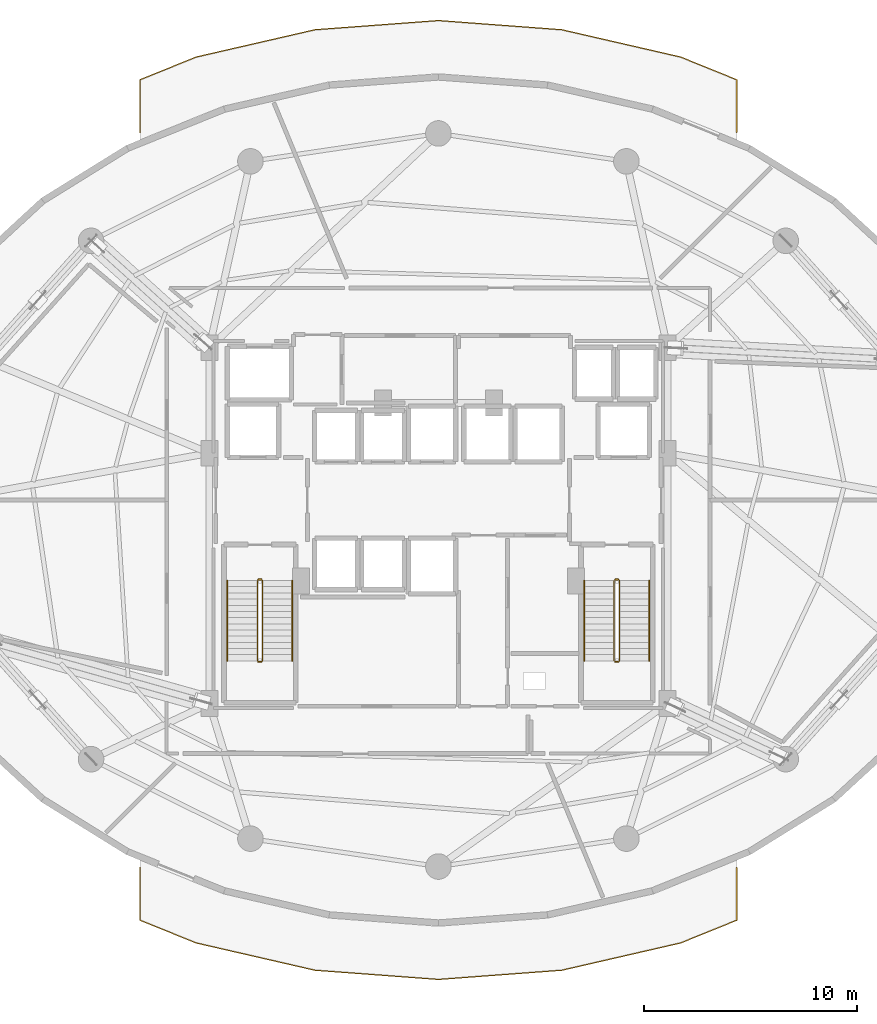
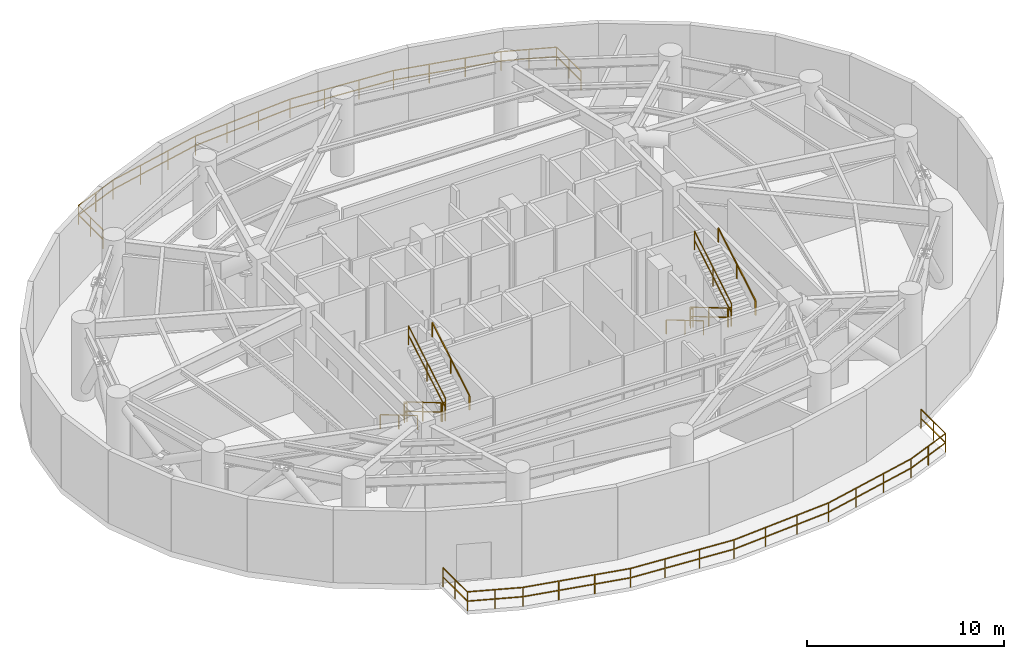
# One storey, part 10 of 10: 16 railings.
"""IFC4 building model written with IfcOpenShell, lengths in metres."""

from ifc_helpers import new_model, si_unit, direction, frame, origin, origin_2d, place, context, subcontext, project, spatial, rectangle, extrude, material, type_object, element, save


model = new_model("IFC4")

# Units and contexts
model_context = context("Model", 3, precision=1e-05, world=origin(), true_north=direction((0.0, 1.0)))
body_context = subcontext(model_context, "Body", "Model", "MODEL_VIEW")
ifc_project = project(units=[si_unit("LENGTHUNIT", "METRE"), si_unit("AREAUNIT", "SQUARE_METRE"), si_unit("VOLUMEUNIT", "CUBIC_METRE"), si_unit("PLANEANGLEUNIT", "RADIAN"), si_unit("MASSUNIT", "GRAM", prefix="KILO")], contexts=[model_context])

# Site, building, storey
site_placement = place(None, origin())
site = spatial("IfcSite", under=ifc_project, at=site_placement, CompositionType="ELEMENT")
building_placement = place(site_placement, origin())
building = spatial("IfcBuilding", under=site, at=building_placement, Name="Vorneva Point Tower", CompositionType="ELEMENT")
storey_placement = place(building_placement, frame((0.0, 0.0, 69.5)))
storey = spatial("IfcBuildingStorey", under=building, at=storey_placement, Name="L18", CompositionType="ELEMENT", Elevation=69.5)

# Railings
ifc_material_1 = material(Name="Pale anodised aluminium", Category="aluminium")
railing_type_1 = type_object("IfcRailingType", Name="RL-BAL-1200", PredefinedType="BALUSTRADE", material=ifc_material_1)
railing_1_placement = place(storey_placement, frame((52.0, 6.279296875, 0.0)))
element("IfcRailing", 1, at=railing_1_placement, inside=storey, type_object=railing_type_1, Name="L18 Sky-Garden South Guardrail 1", PredefinedType="BALUSTRADE", context=body_context, shape_type="SweptSolid", body=[
    extrude(rectangle(XDim=0.048095703125, YDim=0.048095703125, at=origin_2d()), frame((0.0, 0.0, 1.17578125), z_axis=(0.0, 1.0, 0.0), x_axis=(-1.0, 0.0, 0.0)), (0.0, 0.0, 1.0), 2.475830078125),
    extrude(rectangle(XDim=0.048095703125, YDim=0.048095703125, at=origin_2d()), frame((0.0, 0.0, 0.60009765625), z_axis=(0.0, 1.0, 0.0), x_axis=(-1.0, 0.0, 0.0)), (0.0, 0.0, 1.0), 2.475830078125),
    extrude(rectangle(XDim=0.0419921875, YDim=0.0419921875, at=origin_2d()), origin(), (0.0, 0.0, 1.0), 1.15185546875),
    extrude(rectangle(XDim=0.0419921875, YDim=0.0419921875, at=origin_2d()), frame((0.0, 1.23779296875, 0.0)), (0.0, 0.0, 1.0), 1.15185546875),
    extrude(rectangle(XDim=0.0419921875, YDim=0.0419921875, at=origin_2d()), frame((0.0, 2.475830078125, 0.0)), (0.0, 0.0, 1.0), 1.15185546875),
])
railing_2_placement = place(storey_placement, frame((24.0, 8.755126953125, 0.0)))
element("IfcRailing", 2, at=railing_2_placement, inside=storey, type_object=railing_type_1, Name="L18 Sky-Garden South Guardrail 2", PredefinedType="BALUSTRADE", context=body_context, shape_type="SweptSolid", body=[
    extrude(rectangle(XDim=0.048095703125, YDim=0.048095703125, at=origin_2d()), frame((0.0, 0.0, 1.17578125), z_axis=(0.0, -1.0, 0.0), x_axis=(1.0, 0.0, 0.0)), (0.0, 0.0, 1.0), 2.475830078125),
    extrude(rectangle(XDim=0.048095703125, YDim=0.048095703125, at=origin_2d()), frame((0.0, 0.0, 0.60009765625), z_axis=(0.0, -1.0, 0.0), x_axis=(1.0, 0.0, 0.0)), (0.0, 0.0, 1.0), 2.475830078125),
    extrude(rectangle(XDim=0.048095703125, YDim=0.048095703125, at=origin_2d()), frame((0.0, -2.475830078125, 1.17578125), z_axis=(0.92689843513, -0.375312257932, 0.0), x_axis=(0.375312257932, 0.92689843513, 0.0)), (0.0, 0.0, 1.0), 2.842041015625),
    extrude(rectangle(XDim=0.048095703125, YDim=0.048095703125, at=origin_2d()), frame((0.0, -2.475830078125, 0.60009765625), z_axis=(0.92689843513, -0.375312257932, 0.0), x_axis=(0.375312257932, 0.92689843513, 0.0)), (0.0, 0.0, 1.0), 2.842041015625),
    extrude(rectangle(XDim=0.048095703125, YDim=0.048095703125, at=origin_2d()), frame((2.63427734375, -3.54248046875, 1.17578125), z_axis=(0.97460022573, -0.223951780541, 0.0), x_axis=(0.223951780541, 0.97460022573, 0.0)), (0.0, 0.0, 1.0), 5.716796875),
    extrude(rectangle(XDim=0.048095703125, YDim=0.048095703125, at=origin_2d()), frame((2.63427734375, -3.54248046875, 0.60009765625), z_axis=(0.97460022573, -0.223951780541, 0.0), x_axis=(0.223951780541, 0.97460022573, 0.0)), (0.0, 0.0, 1.0), 5.716796875),
    extrude(rectangle(XDim=0.048095703125, YDim=0.048095703125, at=origin_2d()), frame((8.205810546875, -4.82275390625, 1.17578125), z_axis=(0.997227364938, -0.074414935461, 0.0), x_axis=(0.074414935461, 0.997227364938, 0.0)), (0.0, 0.0, 1.0), 5.810302734375),
    extrude(rectangle(XDim=0.048095703125, YDim=0.048095703125, at=origin_2d()), frame((8.205810546875, -4.82275390625, 0.60009765625), z_axis=(0.997227364938, -0.074414935461, 0.0), x_axis=(0.074414935461, 0.997227364938, 0.0)), (0.0, 0.0, 1.0), 5.810302734375),
    extrude(rectangle(XDim=0.048095703125, YDim=0.048095703125, at=origin_2d()), frame((14.0, -5.255126953125, 1.17578125), z_axis=(0.997227364938, 0.074414935461, 0.0), x_axis=(-0.074414935461, 0.997227364938, 0.0)), (0.0, 0.0, 1.0), 5.810302734375),
    extrude(rectangle(XDim=0.048095703125, YDim=0.048095703125, at=origin_2d()), frame((14.0, -5.255126953125, 0.60009765625), z_axis=(0.997227364938, 0.074414935461, 0.0), x_axis=(-0.074414935461, 0.997227364938, 0.0)), (0.0, 0.0, 1.0), 5.810302734375),
    extrude(rectangle(XDim=0.048095703125, YDim=0.048095703125, at=origin_2d()), frame((19.794189453125, -4.82275390625, 1.17578125), z_axis=(0.97460022573, 0.223951780541, 0.0), x_axis=(-0.223951780541, 0.97460022573, 0.0)), (0.0, 0.0, 1.0), 5.716796875),
    extrude(rectangle(XDim=0.048095703125, YDim=0.048095703125, at=origin_2d()), frame((19.794189453125, -4.82275390625, 0.60009765625), z_axis=(0.97460022573, 0.223951780541, 0.0), x_axis=(-0.223951780541, 0.97460022573, 0.0)), (0.0, 0.0, 1.0), 5.716796875),
    extrude(rectangle(XDim=0.048095703125, YDim=0.048095703125, at=origin_2d()), frame((25.36572265625, -3.54248046875, 1.17578125), z_axis=(0.92689843513, 0.375312257932, 0.0), x_axis=(-0.375312257932, 0.92689843513, 0.0)), (0.0, 0.0, 1.0), 2.842041015625),
    extrude(rectangle(XDim=0.048095703125, YDim=0.048095703125, at=origin_2d()), frame((25.36572265625, -3.54248046875, 0.60009765625), z_axis=(0.92689843513, 0.375312257932, 0.0), x_axis=(-0.375312257932, 0.92689843513, 0.0)), (0.0, 0.0, 1.0), 2.842041015625),
    extrude(rectangle(XDim=0.0419921875, YDim=0.0419921875, at=origin_2d()), origin(), (0.0, 0.0, 1.0), 1.15185546875),
    extrude(rectangle(XDim=0.0419921875, YDim=0.0419921875, at=origin_2d()), frame((0.0, -1.23779296875, 0.0)), (0.0, 0.0, 1.0), 1.15185546875),
    extrude(rectangle(XDim=0.0419921875, YDim=0.0419921875, at=origin_2d()), frame((0.0, -2.475830078125, 0.0)), (0.0, 0.0, 1.0), 1.15185546875),
    extrude(rectangle(XDim=0.0419921875, YDim=0.0419921875, at=origin_2d()), frame((1.317138671875, -3.00927734375, 0.0)), (0.0, 0.0, 1.0), 1.15185546875),
    extrude(rectangle(XDim=0.0419921875, YDim=0.0419921875, at=origin_2d()), frame((2.63427734375, -3.54248046875, 0.0)), (0.0, 0.0, 1.0), 1.15185546875),
    extrude(rectangle(XDim=0.0419921875, YDim=0.0419921875, at=origin_2d()), frame((4.491455078125, -3.96923828125, 0.0)), (0.0, 0.0, 1.0), 1.15185546875),
    extrude(rectangle(XDim=0.0419921875, YDim=0.0419921875, at=origin_2d()), frame((6.3486328125, -4.39599609375, 0.0)), (0.0, 0.0, 1.0), 1.15185546875),
    extrude(rectangle(XDim=0.0419921875, YDim=0.0419921875, at=origin_2d()), frame((8.205810546875, -4.82275390625, 0.0)), (0.0, 0.0, 1.0), 1.15185546875),
    extrude(rectangle(XDim=0.0419921875, YDim=0.0419921875, at=origin_2d()), frame((10.13720703125, -4.966796875, 0.0)), (0.0, 0.0, 1.0), 1.15185546875),
    extrude(rectangle(XDim=0.0419921875, YDim=0.0419921875, at=origin_2d()), frame((12.068603515625, -5.111083984375, 0.0)), (0.0, 0.0, 1.0), 1.15185546875),
    extrude(rectangle(XDim=0.0419921875, YDim=0.0419921875, at=origin_2d()), frame((14.0, -5.255126953125, 0.0)), (0.0, 0.0, 1.0), 1.15185546875),
    extrude(rectangle(XDim=0.0419921875, YDim=0.0419921875, at=origin_2d()), frame((15.931396484375, -5.111083984375, 0.0)), (0.0, 0.0, 1.0), 1.15185546875),
    extrude(rectangle(XDim=0.0419921875, YDim=0.0419921875, at=origin_2d()), frame((17.86279296875, -4.966796875, 0.0)), (0.0, 0.0, 1.0), 1.15185546875),
    extrude(rectangle(XDim=0.0419921875, YDim=0.0419921875, at=origin_2d()), frame((19.794189453125, -4.82275390625, 0.0)), (0.0, 0.0, 1.0), 1.15185546875),
    extrude(rectangle(XDim=0.0419921875, YDim=0.0419921875, at=origin_2d()), frame((21.6513671875, -4.39599609375, 0.0)), (0.0, 0.0, 1.0), 1.15185546875),
    extrude(rectangle(XDim=0.0419921875, YDim=0.0419921875, at=origin_2d()), frame((23.508544921875, -3.96923828125, 0.0)), (0.0, 0.0, 1.0), 1.15185546875),
    extrude(rectangle(XDim=0.0419921875, YDim=0.0419921875, at=origin_2d()), frame((25.36572265625, -3.54248046875, 0.0)), (0.0, 0.0, 1.0), 1.15185546875),
    extrude(rectangle(XDim=0.0419921875, YDim=0.0419921875, at=origin_2d()), frame((26.682861328125, -3.00927734375, 0.0)), (0.0, 0.0, 1.0), 1.15185546875),
    extrude(rectangle(XDim=0.0419921875, YDim=0.0419921875, at=origin_2d()), frame((28.0, -2.475830078125, 0.0)), (0.0, 0.0, 1.0), 1.15185546875),
])
railing_3_placement = place(storey_placement, frame((24.0, 45.720703125, 0.0)))
element("IfcRailing", 3, at=railing_3_placement, inside=storey, type_object=railing_type_1, Name="L18 Sky-Garden North Guardrail 1", PredefinedType="BALUSTRADE", context=body_context, shape_type="SweptSolid", body=[
    extrude(rectangle(XDim=0.048095703125, YDim=0.048095703125, at=origin_2d()), frame((0.0, 0.0, 1.17578125), z_axis=(0.0, -1.0, 0.0), x_axis=(1.0, 0.0, 0.0)), (0.0, 0.0, 1.0), 2.475830078125),
    extrude(rectangle(XDim=0.048095703125, YDim=0.048095703125, at=origin_2d()), frame((0.0, 0.0, 0.60009765625), z_axis=(0.0, -1.0, 0.0), x_axis=(1.0, 0.0, 0.0)), (0.0, 0.0, 1.0), 2.475830078125),
    extrude(rectangle(XDim=0.0419921875, YDim=0.0419921875, at=origin_2d()), origin(), (0.0, 0.0, 1.0), 1.15185546875),
    extrude(rectangle(XDim=0.0419921875, YDim=0.0419921875, at=origin_2d()), frame((0.0, -1.23779296875, 0.0)), (0.0, 0.0, 1.0), 1.15185546875),
    extrude(rectangle(XDim=0.0419921875, YDim=0.0419921875, at=origin_2d()), frame((0.0, -2.475830078125, 0.0)), (0.0, 0.0, 1.0), 1.15185546875),
])
railing_4_placement = place(storey_placement, frame((52.0, 43.244873046875, 0.0)))
element("IfcRailing", 4, at=railing_4_placement, inside=storey, type_object=railing_type_1, Name="L18 Sky-Garden North Guardrail 2", PredefinedType="BALUSTRADE", context=body_context, shape_type="SweptSolid", body=[
    extrude(rectangle(XDim=0.048095703125, YDim=0.048095703125, at=origin_2d()), frame((0.0, 0.0, 1.17578125), z_axis=(0.0, 1.0, 0.0), x_axis=(-1.0, 0.0, 0.0)), (0.0, 0.0, 1.0), 2.475830078125),
    extrude(rectangle(XDim=0.048095703125, YDim=0.048095703125, at=origin_2d()), frame((0.0, 0.0, 0.60009765625), z_axis=(0.0, 1.0, 0.0), x_axis=(-1.0, 0.0, 0.0)), (0.0, 0.0, 1.0), 2.475830078125),
    extrude(rectangle(XDim=0.048095703125, YDim=0.048095703125, at=origin_2d()), frame((0.0, 2.475830078125, 1.17578125), z_axis=(-0.92689843513, 0.375312257932, 0.0), x_axis=(-0.375312257932, -0.92689843513, 0.0)), (0.0, 0.0, 1.0), 2.842041015625),
    extrude(rectangle(XDim=0.048095703125, YDim=0.048095703125, at=origin_2d()), frame((0.0, 2.475830078125, 0.60009765625), z_axis=(-0.92689843513, 0.375312257932, 0.0), x_axis=(-0.375312257932, -0.92689843513, 0.0)), (0.0, 0.0, 1.0), 2.842041015625),
    extrude(rectangle(XDim=0.048095703125, YDim=0.048095703125, at=origin_2d()), frame((-2.63427734375, 3.54248046875, 1.17578125), z_axis=(-0.97460022573, 0.223951780541, 0.0), x_axis=(-0.223951780541, -0.97460022573, 0.0)), (0.0, 0.0, 1.0), 5.716796875),
    extrude(rectangle(XDim=0.048095703125, YDim=0.048095703125, at=origin_2d()), frame((-2.63427734375, 3.54248046875, 0.60009765625), z_axis=(-0.97460022573, 0.223951780541, 0.0), x_axis=(-0.223951780541, -0.97460022573, 0.0)), (0.0, 0.0, 1.0), 5.716796875),
    extrude(rectangle(XDim=0.048095703125, YDim=0.048095703125, at=origin_2d()), frame((-8.205810546875, 4.82275390625, 1.17578125), z_axis=(-0.997227364938, 0.074414935461, 0.0), x_axis=(-0.074414935461, -0.997227364938, 0.0)), (0.0, 0.0, 1.0), 5.810302734375),
    extrude(rectangle(XDim=0.048095703125, YDim=0.048095703125, at=origin_2d()), frame((-8.205810546875, 4.82275390625, 0.60009765625), z_axis=(-0.997227364938, 0.074414935461, 0.0), x_axis=(-0.074414935461, -0.997227364938, 0.0)), (0.0, 0.0, 1.0), 5.810302734375),
    extrude(rectangle(XDim=0.048095703125, YDim=0.048095703125, at=origin_2d()), frame((-14.0, 5.255126953125, 1.17578125), z_axis=(-0.997227364938, -0.074414935461, 0.0), x_axis=(0.074414935461, -0.997227364938, 0.0)), (0.0, 0.0, 1.0), 5.810302734375),
    extrude(rectangle(XDim=0.048095703125, YDim=0.048095703125, at=origin_2d()), frame((-14.0, 5.255126953125, 0.60009765625), z_axis=(-0.997227364938, -0.074414935461, 0.0), x_axis=(0.074414935461, -0.997227364938, 0.0)), (0.0, 0.0, 1.0), 5.810302734375),
    extrude(rectangle(XDim=0.048095703125, YDim=0.048095703125, at=origin_2d()), frame((-19.794189453125, 4.82275390625, 1.17578125), z_axis=(-0.97460022573, -0.223951780541, 0.0), x_axis=(0.223951780541, -0.97460022573, 0.0)), (0.0, 0.0, 1.0), 5.716796875),
    extrude(rectangle(XDim=0.048095703125, YDim=0.048095703125, at=origin_2d()), frame((-19.794189453125, 4.82275390625, 0.60009765625), z_axis=(-0.97460022573, -0.223951780541, 0.0), x_axis=(0.223951780541, -0.97460022573, 0.0)), (0.0, 0.0, 1.0), 5.716796875),
    extrude(rectangle(XDim=0.048095703125, YDim=0.048095703125, at=origin_2d()), frame((-25.36572265625, 3.54248046875, 1.17578125), z_axis=(-0.92689843513, -0.375312257932, 0.0), x_axis=(0.375312257932, -0.92689843513, 0.0)), (0.0, 0.0, 1.0), 2.842041015625),
    extrude(rectangle(XDim=0.048095703125, YDim=0.048095703125, at=origin_2d()), frame((-25.36572265625, 3.54248046875, 0.60009765625), z_axis=(-0.92689843513, -0.375312257932, 0.0), x_axis=(0.375312257932, -0.92689843513, 0.0)), (0.0, 0.0, 1.0), 2.842041015625),
    extrude(rectangle(XDim=0.0419921875, YDim=0.0419921875, at=origin_2d()), origin(), (0.0, 0.0, 1.0), 1.15185546875),
    extrude(rectangle(XDim=0.0419921875, YDim=0.0419921875, at=origin_2d()), frame((0.0, 1.23779296875, 0.0)), (0.0, 0.0, 1.0), 1.15185546875),
    extrude(rectangle(XDim=0.0419921875, YDim=0.0419921875, at=origin_2d()), frame((0.0, 2.475830078125, 0.0)), (0.0, 0.0, 1.0), 1.15185546875),
    extrude(rectangle(XDim=0.0419921875, YDim=0.0419921875, at=origin_2d()), frame((-1.317138671875, 3.00927734375, 0.0)), (0.0, 0.0, 1.0), 1.15185546875),
    extrude(rectangle(XDim=0.0419921875, YDim=0.0419921875, at=origin_2d()), frame((-2.63427734375, 3.54248046875, 0.0)), (0.0, 0.0, 1.0), 1.15185546875),
    extrude(rectangle(XDim=0.0419921875, YDim=0.0419921875, at=origin_2d()), frame((-4.491455078125, 3.96923828125, 0.0)), (0.0, 0.0, 1.0), 1.15185546875),
    extrude(rectangle(XDim=0.0419921875, YDim=0.0419921875, at=origin_2d()), frame((-6.3486328125, 4.39599609375, 0.0)), (0.0, 0.0, 1.0), 1.15185546875),
    extrude(rectangle(XDim=0.0419921875, YDim=0.0419921875, at=origin_2d()), frame((-8.205810546875, 4.82275390625, 0.0)), (0.0, 0.0, 1.0), 1.15185546875),
    extrude(rectangle(XDim=0.0419921875, YDim=0.0419921875, at=origin_2d()), frame((-10.13720703125, 4.966796875, 0.0)), (0.0, 0.0, 1.0), 1.15185546875),
    extrude(rectangle(XDim=0.0419921875, YDim=0.0419921875, at=origin_2d()), frame((-12.068603515625, 5.111083984375, 0.0)), (0.0, 0.0, 1.0), 1.15185546875),
    extrude(rectangle(XDim=0.0419921875, YDim=0.0419921875, at=origin_2d()), frame((-14.0, 5.255126953125, 0.0)), (0.0, 0.0, 1.0), 1.15185546875),
    extrude(rectangle(XDim=0.0419921875, YDim=0.0419921875, at=origin_2d()), frame((-15.931396484375, 5.111083984375, 0.0)), (0.0, 0.0, 1.0), 1.15185546875),
    extrude(rectangle(XDim=0.0419921875, YDim=0.0419921875, at=origin_2d()), frame((-17.86279296875, 4.966796875, 0.0)), (0.0, 0.0, 1.0), 1.15185546875),
    extrude(rectangle(XDim=0.0419921875, YDim=0.0419921875, at=origin_2d()), frame((-19.794189453125, 4.82275390625, 0.0)), (0.0, 0.0, 1.0), 1.15185546875),
    extrude(rectangle(XDim=0.0419921875, YDim=0.0419921875, at=origin_2d()), frame((-21.6513671875, 4.39599609375, 0.0)), (0.0, 0.0, 1.0), 1.15185546875),
    extrude(rectangle(XDim=0.0419921875, YDim=0.0419921875, at=origin_2d()), frame((-23.508544921875, 3.96923828125, 0.0)), (0.0, 0.0, 1.0), 1.15185546875),
    extrude(rectangle(XDim=0.0419921875, YDim=0.0419921875, at=origin_2d()), frame((-25.36572265625, 3.54248046875, 0.0)), (0.0, 0.0, 1.0), 1.15185546875),
    extrude(rectangle(XDim=0.0419921875, YDim=0.0419921875, at=origin_2d()), frame((-26.682861328125, 3.00927734375, 0.0)), (0.0, 0.0, 1.0), 1.15185546875),
    extrude(rectangle(XDim=0.0419921875, YDim=0.0419921875, at=origin_2d()), frame((-28.0, 2.475830078125, 0.0)), (0.0, 0.0, 1.0), 1.15185546875),
])
ifc_material_2 = material(Name="Brushed stainless steel S304", Category="steel")
railing_type_2 = type_object("IfcRailingType", Name="RL-HND-920", PredefinedType="HANDRAIL", material=ifc_material_2)
railing_5_placement = place(storey_placement, frame((28.10009765625, 22.219970703125, 0.17138671875)))
element("IfcRailing", 5, at=railing_5_placement, inside=storey, type_object=railing_type_2, Name="L18 ST1 stair handrail 1", PredefinedType="HANDRAIL", context=body_context, shape_type="SweptSolid", body=[
    extrude(rectangle(XDim=0.048095703125, YDim=0.048095703125, at=origin_2d()), frame((0.0, 0.0, 0.8759765625), z_axis=(0.0, -0.860848830602, 0.508860777473), x_axis=(1.0, 0.0, 0.0)), (0.0, 0.0, 1.0), 4.37939453125),
    extrude(rectangle(XDim=0.0419921875, YDim=0.0419921875, at=origin_2d()), origin(), (0.0, 0.0, 1.0), 0.851806640625),
    extrude(rectangle(XDim=0.0419921875, YDim=0.0419921875, at=origin_2d()), frame((0.0, -1.885009765625, 1.1142578125)), (0.0, 0.0, 1.0), 0.851806640625),
    extrude(rectangle(XDim=0.0419921875, YDim=0.0419921875, at=origin_2d()), frame((0.0, -3.77001953125, 2.228515625)), (0.0, 0.0, 1.0), 0.851806640625),
])
railing_6_placement = place(storey_placement, frame((31.14990234375, 18.449951171875, 2.571533203125)))
element("IfcRailing", 6, at=railing_6_placement, inside=storey, type_object=railing_type_2, Name="L18 ST1 stair handrail 2", PredefinedType="HANDRAIL", context=body_context, shape_type="SweptSolid", body=[
    extrude(rectangle(XDim=0.048095703125, YDim=0.048095703125, at=origin_2d()), frame((0.0, 0.0, 0.8759765625), z_axis=(0.0, 0.860848830602, 0.508860777473), x_axis=(-1.0, 0.0, 0.0)), (0.0, 0.0, 1.0), 4.37939453125),
    extrude(rectangle(XDim=0.0419921875, YDim=0.0419921875, at=origin_2d()), origin(), (0.0, 0.0, 1.0), 0.851806640625),
    extrude(rectangle(XDim=0.0419921875, YDim=0.0419921875, at=origin_2d()), frame((0.0, 1.885009765625, 1.1142578125)), (0.0, 0.0, 1.0), 0.851806640625),
    extrude(rectangle(XDim=0.0419921875, YDim=0.0419921875, at=origin_2d()), frame((0.0, 3.77001953125, 2.228515625)), (0.0, 0.0, 1.0), 0.851806640625),
])
railing_7_placement = place(storey_placement, frame((44.85009765625, 22.219970703125, 0.17138671875)))
element("IfcRailing", 7, at=railing_7_placement, inside=storey, type_object=railing_type_2, Name="L18 ST2 stair handrail 1", PredefinedType="HANDRAIL", context=body_context, shape_type="SweptSolid", body=[
    extrude(rectangle(XDim=0.048095703125, YDim=0.048095703125, at=origin_2d()), frame((0.0, 0.0, 0.8759765625), z_axis=(0.0, -0.860848830602, 0.508860777473), x_axis=(1.0, 0.0, 0.0)), (0.0, 0.0, 1.0), 4.37939453125),
    extrude(rectangle(XDim=0.0419921875, YDim=0.0419921875, at=origin_2d()), origin(), (0.0, 0.0, 1.0), 0.851806640625),
    extrude(rectangle(XDim=0.0419921875, YDim=0.0419921875, at=origin_2d()), frame((0.0, -1.885009765625, 1.1142578125)), (0.0, 0.0, 1.0), 0.851806640625),
    extrude(rectangle(XDim=0.0419921875, YDim=0.0419921875, at=origin_2d()), frame((0.0, -3.77001953125, 2.228515625)), (0.0, 0.0, 1.0), 0.851806640625),
])
railing_8_placement = place(storey_placement, frame((47.89990234375, 18.449951171875, 2.571533203125)))
element("IfcRailing", 8, at=railing_8_placement, inside=storey, type_object=railing_type_2, Name="L18 ST2 stair handrail 2", PredefinedType="HANDRAIL", context=body_context, shape_type="SweptSolid", body=[
    extrude(rectangle(XDim=0.048095703125, YDim=0.048095703125, at=origin_2d()), frame((0.0, 0.0, 0.8759765625), z_axis=(0.0, 0.860848830602, 0.508860777473), x_axis=(-1.0, 0.0, 0.0)), (0.0, 0.0, 1.0), 4.37939453125),
    extrude(rectangle(XDim=0.0419921875, YDim=0.0419921875, at=origin_2d()), origin(), (0.0, 0.0, 1.0), 0.851806640625),
    extrude(rectangle(XDim=0.0419921875, YDim=0.0419921875, at=origin_2d()), frame((0.0, 1.885009765625, 1.1142578125)), (0.0, 0.0, 1.0), 0.851806640625),
    extrude(rectangle(XDim=0.0419921875, YDim=0.0419921875, at=origin_2d()), frame((0.0, 3.77001953125, 2.228515625)), (0.0, 0.0, 1.0), 0.851806640625),
])
railing_type_3 = type_object("IfcRailingType", Name="RL-STG-1100", PredefinedType="GUARDRAIL", material=ifc_material_2)
railing_9_placement = place(storey_placement, frame((29.5, 22.219970703125, 0.17138671875)))
element("IfcRailing", 9, at=railing_9_placement, inside=storey, type_object=railing_type_3, Name="L18 ST1 stair guard 1", PredefinedType="GUARDRAIL", context=body_context, shape_type="SweptSolid", body=[
    extrude(rectangle(XDim=0.048095703125, YDim=0.048095703125, at=origin_2d()), frame((0.0, 0.0, 1.17578125), z_axis=(0.0, -0.860848830602, 0.508860777473), x_axis=(1.0, 0.0, 0.0)), (0.0, 0.0, 1.0), 4.37939453125),
    extrude(rectangle(XDim=0.048095703125, YDim=0.048095703125, at=origin_2d()), frame((0.0, 0.0, 0.60009765625), z_axis=(0.0, -0.860848830602, 0.508860777473), x_axis=(1.0, 0.0, 0.0)), (0.0, 0.0, 1.0), 4.37939453125),
    extrude(rectangle(XDim=0.0419921875, YDim=0.0419921875, at=origin_2d()), origin(), (0.0, 0.0, 1.0), 1.15185546875),
    extrude(rectangle(XDim=0.0419921875, YDim=0.0419921875, at=origin_2d()), frame((0.0, -1.885009765625, 1.1142578125)), (0.0, 0.0, 1.0), 1.15185546875),
    extrude(rectangle(XDim=0.0419921875, YDim=0.0419921875, at=origin_2d()), frame((0.0, -3.77001953125, 2.228515625)), (0.0, 0.0, 1.0), 1.15185546875),
])
railing_10_placement = place(storey_placement, frame((29.550048828125, 18.39990234375, 2.39990234375)))
element("IfcRailing", 10, at=railing_10_placement, inside=storey, type_object=railing_type_3, Name="L18 ST1 stair guard 2", PredefinedType="GUARDRAIL", context=body_context, shape_type="SweptSolid", body=[
    extrude(rectangle(XDim=0.048095703125, YDim=0.048095703125, at=origin_2d()), frame((0.0, 0.0, 1.17578125), z_axis=(1.0, 0.0, 0.0), x_axis=(0.0, 1.0, 0.0)), (0.0, 0.0, 1.0), 0.14990234375),
    extrude(rectangle(XDim=0.048095703125, YDim=0.048095703125, at=origin_2d()), frame((0.0, 0.0, 0.60009765625), z_axis=(1.0, 0.0, 0.0), x_axis=(0.0, 1.0, 0.0)), (0.0, 0.0, 1.0), 0.14990234375),
    extrude(rectangle(XDim=0.0419921875, YDim=0.0419921875, at=origin_2d()), origin(), (0.0, 0.0, 1.0), 1.15185546875),
    extrude(rectangle(XDim=0.0419921875, YDim=0.0419921875, at=origin_2d()), frame((0.14990234375, 0.0, 0.0)), (0.0, 0.0, 1.0), 1.15185546875),
])
railing_11_placement = place(storey_placement, frame((29.75, 18.449951171875, 2.571533203125)))
element("IfcRailing", 11, at=railing_11_placement, inside=storey, type_object=railing_type_3, Name="L18 ST1 stair guard 3", PredefinedType="GUARDRAIL", context=body_context, shape_type="SweptSolid", body=[
    extrude(rectangle(XDim=0.048095703125, YDim=0.048095703125, at=origin_2d()), frame((0.0, 0.0, 1.17578125), z_axis=(0.0, 0.860848830602, 0.508860777473), x_axis=(-1.0, 0.0, 0.0)), (0.0, 0.0, 1.0), 4.37939453125),
    extrude(rectangle(XDim=0.048095703125, YDim=0.048095703125, at=origin_2d()), frame((0.0, 0.0, 0.60009765625), z_axis=(0.0, 0.860848830602, 0.508860777473), x_axis=(-1.0, 0.0, 0.0)), (0.0, 0.0, 1.0), 4.37939453125),
    extrude(rectangle(XDim=0.0419921875, YDim=0.0419921875, at=origin_2d()), origin(), (0.0, 0.0, 1.0), 1.15185546875),
    extrude(rectangle(XDim=0.0419921875, YDim=0.0419921875, at=origin_2d()), frame((0.0, 1.885009765625, 1.1142578125)), (0.0, 0.0, 1.0), 1.15185546875),
    extrude(rectangle(XDim=0.0419921875, YDim=0.0419921875, at=origin_2d()), frame((0.0, 3.77001953125, 2.228515625)), (0.0, 0.0, 1.0), 1.15185546875),
])
railing_12_placement = place(storey_placement, frame((29.550048828125, 22.27001953125, 0.0)))
element("IfcRailing", 12, at=railing_12_placement, inside=storey, type_object=railing_type_3, Name="L18 ST1 stair guard 4", PredefinedType="GUARDRAIL", context=body_context, shape_type="SweptSolid", body=[
    extrude(rectangle(XDim=0.048095703125, YDim=0.048095703125, at=origin_2d()), frame((0.0, 0.0, 1.17578125), z_axis=(1.0, 0.0, 0.0), x_axis=(0.0, 1.0, 0.0)), (0.0, 0.0, 1.0), 0.14990234375),
    extrude(rectangle(XDim=0.048095703125, YDim=0.048095703125, at=origin_2d()), frame((0.0, 0.0, 0.60009765625), z_axis=(1.0, 0.0, 0.0), x_axis=(0.0, 1.0, 0.0)), (0.0, 0.0, 1.0), 0.14990234375),
    extrude(rectangle(XDim=0.0419921875, YDim=0.0419921875, at=origin_2d()), origin(), (0.0, 0.0, 1.0), 1.15185546875),
    extrude(rectangle(XDim=0.0419921875, YDim=0.0419921875, at=origin_2d()), frame((0.14990234375, 0.0, 0.0)), (0.0, 0.0, 1.0), 1.15185546875),
])
railing_13_placement = place(storey_placement, frame((46.25, 22.219970703125, 0.17138671875)))
element("IfcRailing", 13, at=railing_13_placement, inside=storey, type_object=railing_type_3, Name="L18 ST2 stair guard 1", PredefinedType="GUARDRAIL", context=body_context, shape_type="SweptSolid", body=[
    extrude(rectangle(XDim=0.048095703125, YDim=0.048095703125, at=origin_2d()), frame((0.0, 0.0, 1.17578125), z_axis=(0.0, -0.860848830602, 0.508860777473), x_axis=(1.0, 0.0, 0.0)), (0.0, 0.0, 1.0), 4.37939453125),
    extrude(rectangle(XDim=0.048095703125, YDim=0.048095703125, at=origin_2d()), frame((0.0, 0.0, 0.60009765625), z_axis=(0.0, -0.860848830602, 0.508860777473), x_axis=(1.0, 0.0, 0.0)), (0.0, 0.0, 1.0), 4.37939453125),
    extrude(rectangle(XDim=0.0419921875, YDim=0.0419921875, at=origin_2d()), origin(), (0.0, 0.0, 1.0), 1.15185546875),
    extrude(rectangle(XDim=0.0419921875, YDim=0.0419921875, at=origin_2d()), frame((0.0, -1.885009765625, 1.1142578125)), (0.0, 0.0, 1.0), 1.15185546875),
    extrude(rectangle(XDim=0.0419921875, YDim=0.0419921875, at=origin_2d()), frame((0.0, -3.77001953125, 2.228515625)), (0.0, 0.0, 1.0), 1.15185546875),
])
railing_14_placement = place(storey_placement, frame((46.300048828125, 18.39990234375, 2.39990234375)))
element("IfcRailing", 14, at=railing_14_placement, inside=storey, type_object=railing_type_3, Name="L18 ST2 stair guard 2", PredefinedType="GUARDRAIL", context=body_context, shape_type="SweptSolid", body=[
    extrude(rectangle(XDim=0.048095703125, YDim=0.048095703125, at=origin_2d()), frame((0.0, 0.0, 1.17578125), z_axis=(1.0, 0.0, 0.0), x_axis=(0.0, 1.0, 0.0)), (0.0, 0.0, 1.0), 0.14990234375),
    extrude(rectangle(XDim=0.048095703125, YDim=0.048095703125, at=origin_2d()), frame((0.0, 0.0, 0.60009765625), z_axis=(1.0, 0.0, 0.0), x_axis=(0.0, 1.0, 0.0)), (0.0, 0.0, 1.0), 0.14990234375),
    extrude(rectangle(XDim=0.0419921875, YDim=0.0419921875, at=origin_2d()), origin(), (0.0, 0.0, 1.0), 1.15185546875),
    extrude(rectangle(XDim=0.0419921875, YDim=0.0419921875, at=origin_2d()), frame((0.14990234375, 0.0, 0.0)), (0.0, 0.0, 1.0), 1.15185546875),
])
railing_15_placement = place(storey_placement, frame((46.5, 18.449951171875, 2.571533203125)))
element("IfcRailing", 15, at=railing_15_placement, inside=storey, type_object=railing_type_3, Name="L18 ST2 stair guard 3", PredefinedType="GUARDRAIL", context=body_context, shape_type="SweptSolid", body=[
    extrude(rectangle(XDim=0.048095703125, YDim=0.048095703125, at=origin_2d()), frame((0.0, 0.0, 1.17578125), z_axis=(0.0, 0.860848830602, 0.508860777473), x_axis=(-1.0, 0.0, 0.0)), (0.0, 0.0, 1.0), 4.37939453125),
    extrude(rectangle(XDim=0.048095703125, YDim=0.048095703125, at=origin_2d()), frame((0.0, 0.0, 0.60009765625), z_axis=(0.0, 0.860848830602, 0.508860777473), x_axis=(-1.0, 0.0, 0.0)), (0.0, 0.0, 1.0), 4.37939453125),
    extrude(rectangle(XDim=0.0419921875, YDim=0.0419921875, at=origin_2d()), origin(), (0.0, 0.0, 1.0), 1.15185546875),
    extrude(rectangle(XDim=0.0419921875, YDim=0.0419921875, at=origin_2d()), frame((0.0, 1.885009765625, 1.1142578125)), (0.0, 0.0, 1.0), 1.15185546875),
    extrude(rectangle(XDim=0.0419921875, YDim=0.0419921875, at=origin_2d()), frame((0.0, 3.77001953125, 2.228515625)), (0.0, 0.0, 1.0), 1.15185546875),
])
railing_16_placement = place(storey_placement, frame((46.300048828125, 22.27001953125, 0.0)))
element("IfcRailing", 16, at=railing_16_placement, inside=storey, type_object=railing_type_3, Name="L18 ST2 stair guard 4", PredefinedType="GUARDRAIL", context=body_context, shape_type="SweptSolid", body=[
    extrude(rectangle(XDim=0.048095703125, YDim=0.048095703125, at=origin_2d()), frame((0.0, 0.0, 1.17578125), z_axis=(1.0, 0.0, 0.0), x_axis=(0.0, 1.0, 0.0)), (0.0, 0.0, 1.0), 0.14990234375),
    extrude(rectangle(XDim=0.048095703125, YDim=0.048095703125, at=origin_2d()), frame((0.0, 0.0, 0.60009765625), z_axis=(1.0, 0.0, 0.0), x_axis=(0.0, 1.0, 0.0)), (0.0, 0.0, 1.0), 0.14990234375),
    extrude(rectangle(XDim=0.0419921875, YDim=0.0419921875, at=origin_2d()), origin(), (0.0, 0.0, 1.0), 1.15185546875),
    extrude(rectangle(XDim=0.0419921875, YDim=0.0419921875, at=origin_2d()), frame((0.14990234375, 0.0, 0.0)), (0.0, 0.0, 1.0), 1.15185546875),
])

save(model, "model.ifc")
